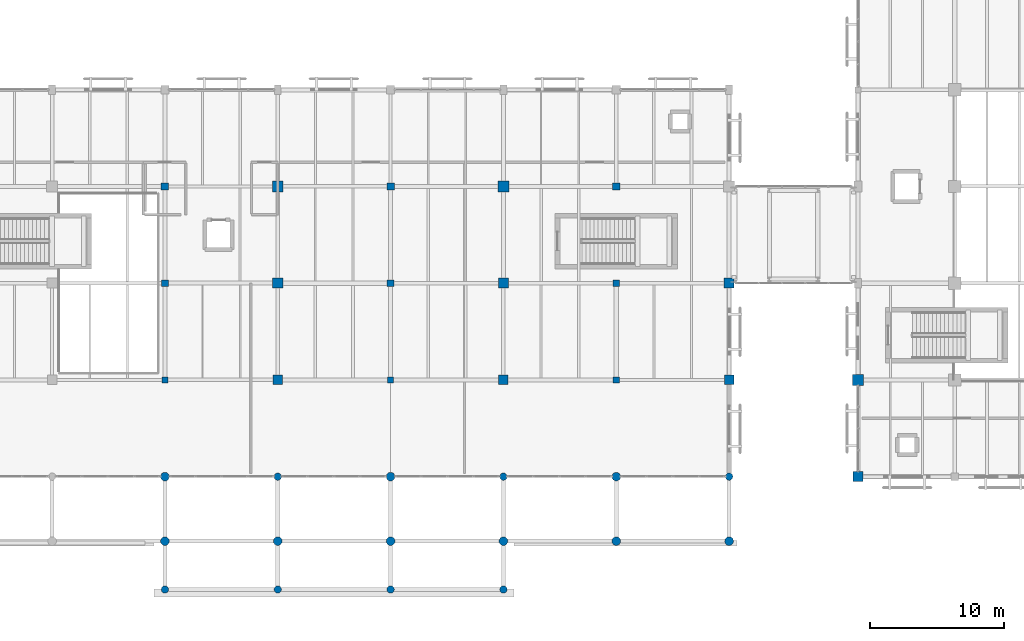
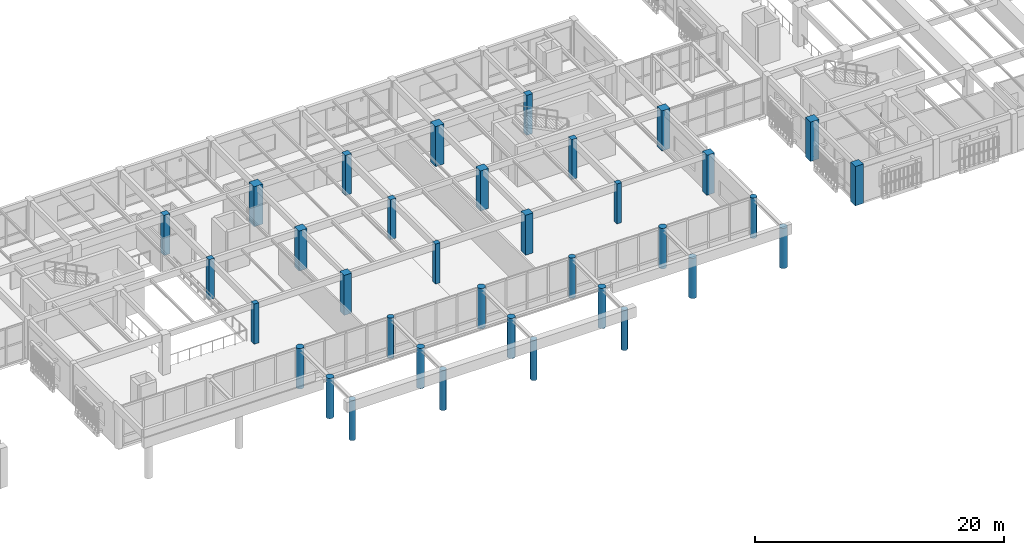
# One storey, part 4 of 170: 35 columns.
"""IFC4 building model written with IfcOpenShell, lengths in metres."""

from ifc_helpers import new_model, si_unit, direction, frame, origin, origin_2d, place, context, subcontext, project, spatial, rectangle, circle, extrude, material, material_profile, profile_set, type_object, element, save


model = new_model("IFC4")

# Units and contexts
model_context = context("Model", 3, precision=1e-05, world=origin(), true_north=direction((0.0, 1.0)))
body_context = subcontext(model_context, "Body", "Model", "MODEL_VIEW")
ifc_project = project(units=[si_unit("LENGTHUNIT", "METRE"), si_unit("AREAUNIT", "SQUARE_METRE"), si_unit("VOLUMEUNIT", "CUBIC_METRE"), si_unit("PLANEANGLEUNIT", "RADIAN"), si_unit("MASSUNIT", "GRAM", prefix="KILO")], contexts=[model_context])

# Site, building, storey
site_placement = place(None, origin())
site = spatial("IfcSite", under=ifc_project, at=site_placement, CompositionType="ELEMENT")
building_placement = place(site_placement, origin())
building = spatial("IfcBuilding", under=site, at=building_placement, Name="Mazaris Harbour Polytechnic", CompositionType="ELEMENT")
storey_placement = place(building_placement, frame((0.0, 0.0, 5.39990234375)))
storey = spatial("IfcBuildingStorey", under=building, at=storey_placement, Name="L01", CompositionType="ELEMENT", Elevation=5.39990234375)

# Columns
ifc_material_1 = material(Name="Concrete C40/50", Category="concrete")
ifc_material_profile_1 = material_profile(ifc_material_1, circle(Radius=0.27490234375, at=origin_2d()), Name="DIA550")
ifc_profile_set_1 = profile_set([ifc_material_profile_1], Name="Concrete C40/50")
column_type_1 = type_object("IfcColumnType", Name="RC Colonnade Column D550", PredefinedType="COLUMN", material=ifc_profile_set_1)
for number, where, z_axis, x_axis, name in (
    (1, (79.199951171875, 7.199951171875, 0.0), (0.0, 0.0, 1.0), (1.0, 0.0, 0.0), "V3 L01 Column 483"),
    (2, (96.0, 7.199951171875, 0.0), (0.0, 0.0, 1.0), (1.0, 0.0, 0.0), "V3 L01 Column 493"),
    (3, (112.800048828125, 7.199951171875, 0.0), (0.0, 0.0, 1.0), (1.0, 0.0, 0.0), "V3 L01 Column 503"),
):
    element("IfcColumn", number, at=place(storey_placement, frame(where, z_axis=z_axis, x_axis=x_axis)), inside=storey, type_object=column_type_1, Name=name, PredefinedType="COLUMN", context=body_context, shape_type="SweptSolid", body=[
        extrude(circle(Radius=0.27490234375, at=origin_2d()), origin(), (0.0, 0.0, 1.0), 3.960205078125),
    ])
for number, where, z_axis, x_axis, name in (
    (4, (70.800048828125, -1.199951171875, 0.0), (0.0, 0.0, 1.0), (1.0, 0.0, 0.0), "Portico Giant-Order Column L01-1"),
    (5, (79.199951171875, -1.199951171875, 0.0), (0.0, 0.0, 1.0), (1.0, 0.0, 0.0), "Portico Giant-Order Column L01-2"),
    (6, (87.60009765625, -1.199951171875, 0.0), (0.0, 0.0, 1.0), (1.0, 0.0, 0.0), "Portico Giant-Order Column L01-3"),
    (7, (96.0, -1.199951171875, 0.0), (0.0, 0.0, 1.0), (1.0, 0.0, 0.0), "Portico Giant-Order Column L01-4"),
):
    element("IfcColumn", number, at=place(storey_placement, frame(where, z_axis=z_axis, x_axis=x_axis)), inside=storey, type_object=column_type_1, Name=name, PredefinedType="COLUMN", context=body_context, shape_type="SweptSolid", body=[
        extrude(circle(Radius=0.27490234375, at=origin_2d()), origin(), (0.0, 0.0, 1.0), 3.945068359375),
    ])
ifc_material_2 = material(Name="Concrete C40/50", Category="concrete")
ifc_material_profile_2 = material_profile(ifc_material_2, circle(Radius=0.324951171875, at=origin_2d()), Name="DIA650")
ifc_profile_set_2 = profile_set([ifc_material_profile_2], Name="Concrete C40/50")
column_type_2 = type_object("IfcColumnType", Name="RC Colonnade Column D650", PredefinedType="COLUMN", material=ifc_profile_set_2)
for number, where, z_axis, x_axis, name in (
    (8, (70.800048828125, 7.199951171875, 0.0), (0.0, 0.0, 1.0), (1.0, 0.0, 0.0), "V3 L01 Column 478"),
    (9, (87.60009765625, 7.199951171875, 0.0), (0.0, 0.0, 1.0), (1.0, 0.0, 0.0), "V3 L01 Column 488"),
    (10, (104.39990234375, 7.199951171875, 0.0), (0.0, 0.0, 1.0), (1.0, 0.0, 0.0), "V3 L01 Column 498"),
):
    element("IfcColumn", number, at=place(storey_placement, frame(where, z_axis=z_axis, x_axis=x_axis)), inside=storey, type_object=column_type_2, Name=name, PredefinedType="COLUMN", context=body_context, shape_type="SweptSolid", body=[
        extrude(circle(Radius=0.324951171875, at=origin_2d()), origin(), (0.0, 0.0, 1.0), 3.960205078125),
    ])
for number, where, z_axis, x_axis, name in (
    (11, (70.800048828125, 2.39990234375, 0.0), (0.0, 0.0, 1.0), (1.0, 0.0, 0.0), "Harbour Colonnade Column L01-3"),
    (12, (79.199951171875, 2.39990234375, 0.0), (0.0, 0.0, 1.0), (1.0, 0.0, 0.0), "Harbour Colonnade Column L01-4"),
    (13, (87.60009765625, 2.39990234375, 0.0), (0.0, 0.0, 1.0), (1.0, 0.0, 0.0), "Harbour Colonnade Column L01-5"),
    (14, (96.0, 2.39990234375, 0.0), (0.0, 0.0, 1.0), (1.0, 0.0, 0.0), "Harbour Colonnade Column L01-6"),
    (15, (104.39990234375, 2.39990234375, 0.0), (0.0, 0.0, 1.0), (1.0, 0.0, 0.0), "Harbour Colonnade Column L01-7"),
    (16, (112.800048828125, 2.39990234375, 0.0), (0.0, 0.0, 1.0), (1.0, 0.0, 0.0), "Harbour Colonnade Column L01-8"),
):
    element("IfcColumn", number, at=place(storey_placement, frame(where, z_axis=z_axis, x_axis=x_axis)), inside=storey, type_object=column_type_2, Name=name, PredefinedType="COLUMN", context=body_context, shape_type="SweptSolid", body=[
        extrude(circle(Radius=0.324951171875, at=origin_2d()), origin(), (0.0, 0.0, 1.0), 3.945068359375),
    ])
ifc_material_3 = material(Name="Concrete C40/50", Category="concrete")
ifc_material_profile_3 = material_profile(ifc_material_3, rectangle(XDim=0.449951171875, YDim=0.449951171875, at=origin_2d()), Name="RECT450x450")
ifc_profile_set_3 = profile_set([ifc_material_profile_3], Name="Concrete C40/50")
column_type_3 = type_object("IfcColumnType", Name="RC Column 450x450", PredefinedType="COLUMN", material=ifc_profile_set_3)
for number, where, z_axis, x_axis, name in (
    (17, (70.800048828125, 14.39990234375, 0.0), (0.0, 0.0, 1.0), (1.0, 0.0, 0.0), "V3 L01 Column 479"),
    (18, (87.60009765625, 14.39990234375, 0.0), (0.0, 0.0, 1.0), (1.0, 0.0, 0.0), "V3 L01 Column 489"),
    (19, (104.39990234375, 14.39990234375, 0.0), (0.0, 0.0, 1.0), (1.0, 0.0, 0.0), "V3 L01 Column 499"),
):
    element("IfcColumn", number, at=place(storey_placement, frame(where, z_axis=z_axis, x_axis=x_axis)), inside=storey, type_object=column_type_3, Name=name, PredefinedType="COLUMN", context=body_context, shape_type="SweptSolid", body=[
        extrude(rectangle(XDim=0.449951171875, YDim=0.449951171875, at=origin_2d()), origin(), (0.0, 0.0, 1.0), 3.920166015625),
    ])
ifc_material_4 = material(Name="Concrete C40/50", Category="concrete")
ifc_material_profile_4 = material_profile(ifc_material_4, rectangle(XDim=0.5, YDim=0.5, at=origin_2d()), Name="RECT500x500")
ifc_profile_set_4 = profile_set([ifc_material_profile_4], Name="Concrete C40/50")
column_type_4 = type_object("IfcColumnType", Name="RC Column 500x500", PredefinedType="COLUMN", material=ifc_profile_set_4)
for number, where, z_axis, x_axis, name in (
    (20, (70.800048828125, 21.60009765625, 0.0), (0.0, 0.0, 1.0), (1.0, 0.0, 0.0), "V3 L01 Column 480"),
    (21, (87.60009765625, 21.60009765625, 0.0), (0.0, 0.0, 1.0), (1.0, 0.0, 0.0), "V3 L01 Column 490"),
    (22, (104.39990234375, 21.60009765625, 0.0), (0.0, 0.0, 1.0), (1.0, 0.0, 0.0), "V3 L01 Column 500"),
):
    element("IfcColumn", number, at=place(storey_placement, frame(where, z_axis=z_axis, x_axis=x_axis)), inside=storey, type_object=column_type_4, Name=name, PredefinedType="COLUMN", context=body_context, shape_type="SweptSolid", body=[
        extrude(rectangle(XDim=0.5, YDim=0.5, at=origin_2d()), origin(), (0.0, 0.0, 1.0), 3.920166015625),
    ])
ifc_material_5 = material(Name="Concrete C40/50", Category="concrete")
ifc_material_profile_5 = material_profile(ifc_material_5, rectangle(XDim=0.550048828125, YDim=0.550048828125, at=origin_2d()), Name="RECT550x550")
ifc_profile_set_5 = profile_set([ifc_material_profile_5], Name="Concrete C40/50")
column_type_5 = type_object("IfcColumnType", Name="RC Column 550x550", PredefinedType="COLUMN", material=ifc_profile_set_5)
for number, where, z_axis, x_axis, name in (
    (23, (70.800048828125, 28.800048828125, 0.0), (0.0, 0.0, 1.0), (1.0, 0.0, 0.0), "V3 L01 Column 481"),
    (24, (87.60009765625, 28.800048828125, 0.0), (0.0, 0.0, 1.0), (1.0, 0.0, 0.0), "V3 L01 Column 491"),
    (25, (104.39990234375, 28.800048828125, 0.0), (0.0, 0.0, 1.0), (1.0, 0.0, 0.0), "V3 L01 Column 501"),
):
    element("IfcColumn", number, at=place(storey_placement, frame(where, z_axis=z_axis, x_axis=x_axis)), inside=storey, type_object=column_type_5, Name=name, PredefinedType="COLUMN", context=body_context, shape_type="SweptSolid", body=[
        extrude(rectangle(XDim=0.550048828125, YDim=0.550048828125, at=origin_2d()), origin(), (0.0, 0.0, 1.0), 3.920166015625),
    ])
ifc_material_6 = material(Name="Concrete C40/50", Category="concrete")
ifc_material_profile_6 = material_profile(ifc_material_6, rectangle(XDim=0.699951171875, YDim=0.699951171875, at=origin_2d()), Name="RECT700x700")
ifc_profile_set_6 = profile_set([ifc_material_profile_6], Name="Concrete C40/50")
column_type_6 = type_object("IfcColumnType", Name="RC Column 700x700", PredefinedType="COLUMN", material=ifc_profile_set_6)
for number, where, z_axis, x_axis, name in (
    (26, (79.199951171875, 14.39990234375, 0.0), (0.0, 0.0, 1.0), (1.0, 0.0, 0.0), "V3 L01 Column 484"),
    (27, (96.0, 14.39990234375, 0.0), (0.0, 0.0, 1.0), (1.0, 0.0, 0.0), "V3 L01 Column 494"),
):
    element("IfcColumn", number, at=place(storey_placement, frame(where, z_axis=z_axis, x_axis=x_axis)), inside=storey, type_object=column_type_6, Name=name, PredefinedType="COLUMN", context=body_context, shape_type="SweptSolid", body=[
        extrude(rectangle(XDim=0.699951171875, YDim=0.699951171875, at=origin_2d()), origin(), (0.0, 0.0, 1.0), 3.920166015625),
    ])
ifc_material_7 = material(Name="Concrete C40/50", Category="concrete")
ifc_material_profile_7 = material_profile(ifc_material_7, rectangle(XDim=0.699951171875, YDim=0.699951171875, at=origin_2d()), Name="RECT700x700")
ifc_profile_set_7 = profile_set([ifc_material_profile_7], Name="Concrete C40/50")
column_type_7 = type_object("IfcColumnType", Name="RC Column 700x700 Exterior", PredefinedType="COLUMN", material=ifc_profile_set_7)
column_1_placement = place(storey_placement, frame((112.800048828125, 14.39990234375, 0.0), z_axis=(0.0, 0.0, 1.0), x_axis=(1.0, 0.0, 0.0)))
element("IfcColumn", 28, at=column_1_placement, inside=storey, type_object=column_type_7, Name="V3 L01 Column 504", PredefinedType="COLUMN", context=body_context, shape_type="SweptSolid", body=[
    extrude(rectangle(XDim=0.699951171875, YDim=0.699951171875, at=origin_2d()), origin(), (0.0, 0.0, 1.0), 3.920166015625),
])
ifc_material_8 = material(Name="Concrete C40/50", Category="concrete")
ifc_material_profile_8 = material_profile(ifc_material_8, rectangle(XDim=0.75, YDim=0.75, at=origin_2d()), Name="RECT750x750")
ifc_profile_set_8 = profile_set([ifc_material_profile_8], Name="Concrete C40/50")
column_type_8 = type_object("IfcColumnType", Name="RC Column 750x750", PredefinedType="COLUMN", material=ifc_profile_set_8)
for number, where, z_axis, x_axis, name in (
    (29, (79.199951171875, 21.60009765625, 0.0), (0.0, 0.0, 1.0), (1.0, 0.0, 0.0), "V3 L01 Column 485"),
    (30, (96.0, 21.60009765625, 0.0), (0.0, 0.0, 1.0), (1.0, 0.0, 0.0), "V3 L01 Column 495"),
):
    element("IfcColumn", number, at=place(storey_placement, frame(where, z_axis=z_axis, x_axis=x_axis)), inside=storey, type_object=column_type_8, Name=name, PredefinedType="COLUMN", context=body_context, shape_type="SweptSolid", body=[
        extrude(rectangle(XDim=0.75, YDim=0.75, at=origin_2d()), origin(), (0.0, 0.0, 1.0), 3.920166015625),
    ])
ifc_material_9 = material(Name="Concrete C40/50", Category="concrete")
ifc_material_profile_9 = material_profile(ifc_material_9, rectangle(XDim=0.75, YDim=0.75, at=origin_2d()), Name="RECT750x750")
ifc_profile_set_9 = profile_set([ifc_material_profile_9], Name="Concrete C40/50")
column_type_9 = type_object("IfcColumnType", Name="RC Column 750x750 Exterior", PredefinedType="COLUMN", material=ifc_profile_set_9)
column_2_placement = place(storey_placement, frame((122.39990234375, 7.199951171875, 0.0), z_axis=(0.0, 0.0, 1.0), x_axis=(1.0, 0.0, 0.0)))
element("IfcColumn", 31, at=column_2_placement, inside=storey, type_object=column_type_9, Name="V2 L01 Column 265", PredefinedType="COLUMN", context=body_context, shape_type="SweptSolid", body=[
    extrude(rectangle(XDim=0.75, YDim=0.75, at=origin_2d()), origin(), (0.0, 0.0, 1.0), 3.85009765625),
])
column_3_placement = place(storey_placement, frame((112.800048828125, 21.60009765625, 0.0), z_axis=(0.0, 0.0, 1.0), x_axis=(1.0, 0.0, 0.0)))
element("IfcColumn", 32, at=column_3_placement, inside=storey, type_object=column_type_9, Name="V3 L01 Column 505", PredefinedType="COLUMN", context=body_context, shape_type="SweptSolid", body=[
    extrude(rectangle(XDim=0.75, YDim=0.75, at=origin_2d()), origin(), (0.0, 0.0, 1.0), 3.920166015625),
])
ifc_material_10 = material(Name="Concrete C40/50", Category="concrete")
ifc_material_profile_10 = material_profile(ifc_material_10, rectangle(XDim=0.800048828125, YDim=0.800048828125, at=origin_2d()), Name="RECT800x800")
ifc_profile_set_10 = profile_set([ifc_material_profile_10], Name="Concrete C40/50")
column_type_10 = type_object("IfcColumnType", Name="RC Column 800x800", PredefinedType="COLUMN", material=ifc_profile_set_10)
for number, where, z_axis, x_axis, name in (
    (33, (79.199951171875, 28.800048828125, 0.0), (0.0, 0.0, 1.0), (1.0, 0.0, 0.0), "V3 L01 Column 486"),
    (34, (96.0, 28.800048828125, 0.0), (0.0, 0.0, 1.0), (1.0, 0.0, 0.0), "V3 L01 Column 496"),
):
    element("IfcColumn", number, at=place(storey_placement, frame(where, z_axis=z_axis, x_axis=x_axis)), inside=storey, type_object=column_type_10, Name=name, PredefinedType="COLUMN", context=body_context, shape_type="SweptSolid", body=[
        extrude(rectangle(XDim=0.800048828125, YDim=0.800048828125, at=origin_2d()), origin(), (0.0, 0.0, 1.0), 3.920166015625),
    ])
ifc_material_11 = material(Name="Concrete C40/50", Category="concrete")
ifc_material_profile_11 = material_profile(ifc_material_11, rectangle(XDim=0.800048828125, YDim=0.800048828125, at=origin_2d()), Name="RECT800x800")
ifc_profile_set_11 = profile_set([ifc_material_profile_11], Name="Concrete C40/50")
column_type_11 = type_object("IfcColumnType", Name="RC Column 800x800 Exterior", PredefinedType="COLUMN", material=ifc_profile_set_11)
column_4_placement = place(storey_placement, frame((122.39990234375, 14.39990234375, 0.0), z_axis=(0.0, 0.0, 1.0), x_axis=(1.0, 0.0, 0.0)))
element("IfcColumn", 35, at=column_4_placement, inside=storey, type_object=column_type_11, Name="V2 L01 Column 266", PredefinedType="COLUMN", context=body_context, shape_type="SweptSolid", body=[
    extrude(rectangle(XDim=0.800048828125, YDim=0.800048828125, at=origin_2d()), origin(), (0.0, 0.0, 1.0), 3.85009765625),
])

save(model, "model.ifc")
